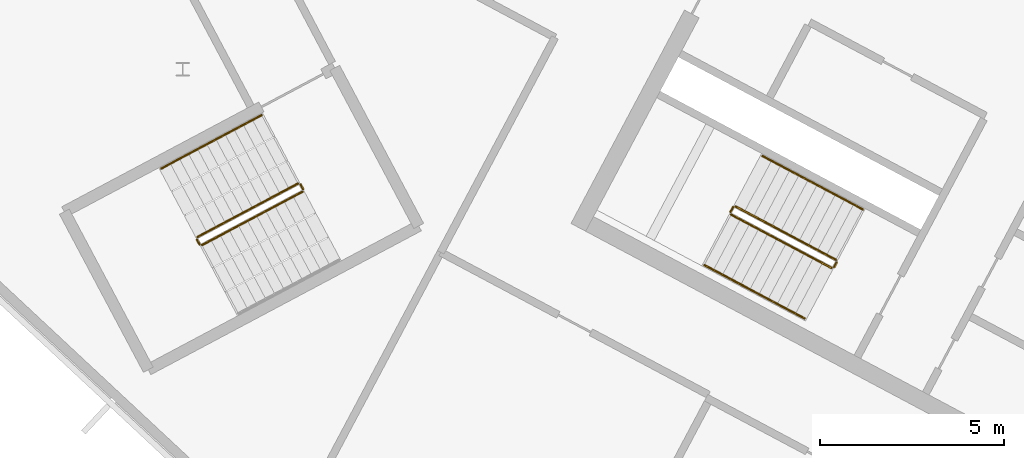
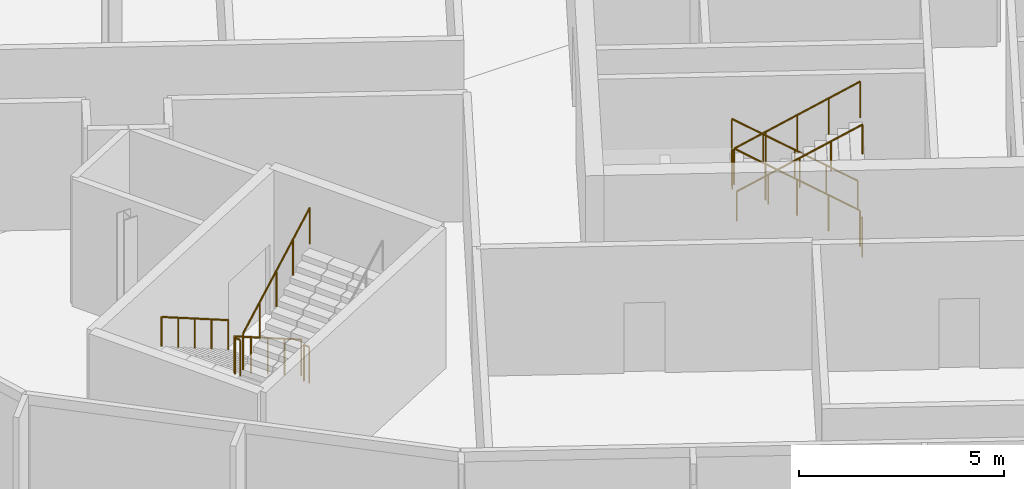
# One storey, part 11 of 16: 11 railings.
"""IFC4 building model written with IfcOpenShell, lengths in metres."""

import ifcopenshell
import ifcopenshell.guid

model = None  # the IFC model being written
_history = None  # IfcOwnerHistory: only IFC2X3 demands one
_inside = {}  # id of a spatial element -> (the spatial element, [elements in it])
_under = {}  # id of a project, library or spatial element -> (it, [spatial elements below it])
_declared = {}  # id of a project -> (the project, [libraries it declares])
_typed = {}  # id of a type object -> (the type object, [elements of that type])
_made_of = {}  # id of a material, layer set ... -> (it, [elements and type objects made of it])


def new_model(schema):
    """Start an empty IFC model of exactly this schema.

    Asked for "IFC4X3", IfcOpenShell would pick the latest addendum, in which some entities
    have other attributes; the version numbers below select the first issue.
    IFC2X3 requires an IfcOwnerHistory on every rooted entity: one is made here for all.
    """
    global model, _history
    if schema == "IFC4X3":
        model = ifcopenshell.file(schema_version=(4, 3, 0, 0))
    else:
        model = ifcopenshell.file(schema=schema)
    _inside.clear()
    _under.clear()
    _declared.clear()
    _typed.clear()
    _made_of.clear()
    _history = None
    if model.schema == "IFC2X3":
        org = make("IfcOrganization", Name="unknown")
        user = make(
            "IfcPersonAndOrganization",
            ThePerson=make("IfcPerson", FamilyName="unknown"),
            TheOrganization=org,
        )
        app = make(
            "IfcApplication",
            ApplicationDeveloper=org,
            Version="unknown",
            ApplicationFullName="unknown",
            ApplicationIdentifier="unknown",
        )
        _history = make(
            "IfcOwnerHistory",
            OwningUser=user,
            OwningApplication=app,
            ChangeAction="ADDED",
            CreationDate=0,
        )
    return model


def make(cls, **values):
    """One entity of the class cls with the attributes given. An attribute that is None is left unset."""
    return model.create_entity(
        cls, **{name: value for name, value in values.items() if value is not None}
    )


def rooted(cls, **values):
    """An entity with a GlobalId (a new one), such as an element, a storey or a relation."""
    return make(cls, GlobalId=ifcopenshell.guid.new(), OwnerHistory=_history, **values)


def si_unit(unit_type, name, prefix=None):
    """IfcSIUnit, for example si_unit("LENGTHUNIT", "METRE", prefix="MILLI")."""
    return make("IfcSIUnit", UnitType=unit_type, Prefix=prefix, Name=name)


def assignment(units):
    """IfcUnitAssignment: the units of a project."""
    return None if units is None else make("IfcUnitAssignment", Units=units)


def point(xyz):
    """IfcCartesianPoint."""
    return None if xyz is None else make("IfcCartesianPoint", Coordinates=xyz)


def direction(xyz):
    """IfcDirection."""
    return None if xyz is None else make("IfcDirection", DirectionRatios=xyz)


def frame(location, z_axis=None, x_axis=None):
    """IfcAxis2Placement3D, a coordinate frame: its origin and axes. An axis left out is left unset."""
    return make(
        "IfcAxis2Placement3D",
        Location=point(location),
        Axis=direction(z_axis),
        RefDirection=direction(x_axis),
    )


def origin():
    """The frame at (0, 0, 0) with its axes left unset."""
    return frame((0.0, 0.0, 0.0))


def place(relative_to, where):
    """IfcLocalPlacement: puts the frame where relative to a parent placement (None: the world)."""
    return make(
        "IfcLocalPlacement", PlacementRelTo=relative_to, RelativePlacement=where
    )


def context(
    kind, dimensions, precision=None, world=None, true_north=None, identifier=None
):
    """IfcGeometricRepresentationContext, for example the 3D "Model" context."""
    return make(
        "IfcGeometricRepresentationContext",
        ContextIdentifier=identifier,
        ContextType=kind,
        CoordinateSpaceDimension=dimensions,
        Precision=precision,
        WorldCoordinateSystem=world,
        TrueNorth=true_north,
    )


def subcontext(parent, identifier, kind, view, scale=None):
    """IfcGeometricRepresentationSubContext, for example "Body" below "Model"."""
    return make(
        "IfcGeometricRepresentationSubContext",
        ContextIdentifier=identifier,
        ContextType=kind,
        ParentContext=parent,
        TargetScale=scale,
        TargetView=view,
    )


def project(units=None, contexts=None):
    """IfcProject with its units and contexts."""
    return rooted(
        "IfcProject",
        Name="project",
        RepresentationContexts=contexts,
        UnitsInContext=assignment(units),
    )


def spatial(cls, under=None, at=None, **own):
    """A site, building, storey or space (cls), placed at a placement, below another one or the project."""
    s = rooted(cls, ObjectPlacement=at, **own)
    if under is not None:
        _under.setdefault(under.id(), (under, []))[1].append(s)
    return s


def polyline(points):
    """IfcPolyline through the points."""
    return make("IfcPolyline", Points=[point(p) for p in points])


def outline(outer, holes=None, kind="AREA"):
    """IfcArbitraryClosedProfileDef: a profile drawn as a closed curve; with holes, ...WithVoids."""
    if holes is None:
        return make("IfcArbitraryClosedProfileDef", ProfileType=kind, OuterCurve=outer)
    return make(
        "IfcArbitraryProfileDefWithVoids",
        ProfileType=kind,
        OuterCurve=outer,
        InnerCurves=holes,
    )


def extrude(swept, where, along, depth):
    """IfcExtrudedAreaSolid: the profile swept, set in the frame where, extruded along a direction by depth."""
    return make(
        "IfcExtrudedAreaSolid",
        SweptArea=swept,
        Position=where,
        ExtrudedDirection=direction(along),
        Depth=depth,
    )


def shape(context_of_items, identifier, shape_type, items):
    """IfcShapeRepresentation: the items that make up one representation, for example the "Body"."""
    return make(
        "IfcShapeRepresentation",
        ContextOfItems=context_of_items,
        RepresentationIdentifier=identifier,
        RepresentationType=shape_type,
        Items=items,
    )


def material(Name=None, Category=None):
    """IfcMaterial."""
    return make("IfcMaterial", Name=Name, Category=Category)


def made_of(thing, what):
    """Note that an element or type object is made of a material, layer set ...; save() writes the relation."""
    if what is not None:
        _made_of.setdefault(what.id(), (what, []))[1].append(thing)
    return thing


def type_object(cls, material=None, **own):
    """A type object (cls), such as IfcWallType, which elements share."""
    return made_of(rooted(cls, **own), material)


def element(
    cls,
    number,
    at=None,
    inside=None,
    cuts=None,
    type_object=None,
    material=None,
    context=None,
    identifier="Body",
    shape_type=None,
    held_by="IfcProductDefinitionShape",
    body=None,
    shapes=None,
    **own,
):
    """One element of the class cls, such as IfcWall. Its Tag is "e" and its number.

    at: its placement. inside: the storey or other place that contains it. cuts: it is an
    opening in that element (IfcRelVoidsElement). A single representation is given by context,
    identifier, shape_type and body (its items); several are given by shapes. held_by: the class
    of the entity that holds the representations. save() writes the other relations.
    """
    e = rooted(cls, Tag="e%d" % number, ObjectPlacement=at, **own)
    if body is not None:
        shapes = [shape(context, identifier, shape_type, body)]
    if shapes is not None:
        e.Representation = make(held_by, Representations=shapes)
    if inside is not None:
        _inside.setdefault(inside.id(), (inside, []))[1].append(e)
    if cuts is not None:
        rooted(
            "IfcRelVoidsElement", RelatingBuildingElement=cuts, RelatedOpeningElement=e
        )
    if type_object is not None:
        _typed.setdefault(type_object.id(), (type_object, []))[1].append(e)
    return made_of(e, material)


def aggregate(whole, parts):
    """IfcRelAggregates: a whole, such as a stair, and the parts it consists of."""
    return rooted("IfcRelAggregates", RelatingObject=whole, RelatedObjects=parts)


def save(model, path):
    """Write the relations noted so far, then the file.

    IfcRelAggregates (storeys below a building ...), IfcRelContainedInSpatialStructure (elements
    in a storey), IfcRelDefinesByType, IfcRelAssociatesMaterial and IfcRelDeclares: one each for
    every whole, place, type object, material and project.
    """
    for whole, parts in _under.values():
        aggregate(whole, parts)
    for where, things in _inside.values():
        rooted(
            "IfcRelContainedInSpatialStructure",
            RelatedElements=things,
            RelatingStructure=where,
        )
    for kind, things in _typed.values():
        rooted("IfcRelDefinesByType", RelatedObjects=things, RelatingType=kind)
    for what, things in _made_of.values():
        rooted("IfcRelAssociatesMaterial", RelatedObjects=things, RelatingMaterial=what)
    for by, libraries in _declared.values():
        rooted("IfcRelDeclares", RelatingContext=by, RelatedDefinitions=libraries)
    model.write(path)


model = new_model("IFC4")

# Units and contexts
model_context = context("Model", 3, precision=1e-05, world=origin(), true_north=direction((0.0, 1.0)))
body_context = subcontext(model_context, "Body", "Model", "MODEL_VIEW")
ifc_project = project(units=[si_unit("LENGTHUNIT", "METRE"), si_unit("AREAUNIT", "SQUARE_METRE"), si_unit("VOLUMEUNIT", "CUBIC_METRE"), si_unit("PLANEANGLEUNIT", "RADIAN"), si_unit("MASSUNIT", "GRAM", prefix="KILO")], contexts=[model_context])

# Site, building, storey
site_placement = place(None, origin())
site = spatial("IfcSite", under=ifc_project, at=site_placement, CompositionType="ELEMENT")
building_placement = place(site_placement, origin())
building = spatial("IfcBuilding", under=site, at=building_placement, Name="Cormorant Relay Tower", CompositionType="ELEMENT")
storey_placement = place(building_placement, frame((0.0, 0.0, 340.800048828125)))
storey = spatial("IfcBuildingStorey", under=building, at=storey_placement, Name="C4", CompositionType="ELEMENT", Elevation=340.800048828125)

# Railings
ifc_material_1 = material(Name="Steel ASTM A572 Grade 50 (Fy 345 MPa)", Category="steel")
railing_type_1 = type_object("IfcRailingType", Name="Stair guard 1100", PredefinedType="GUARDRAIL", material=ifc_material_1)
railing_1_placement = place(storey_placement, frame((-33.9921875, 10.08935546875, 0.175048828125)))
element("IfcRailing", 1, at=railing_1_placement, inside=storey, type_object=railing_type_1, Name="C4 A2 stair guard 1", PredefinedType="GUARDRAIL", context=body_context, shape_type="SweptSolid", body=[
    extrude(outline(polyline([(0.022216796875, 0.00927734375), (0.00927734375, 0.022216796875), (-0.00927734375, 0.022216796875), (-0.022216796875, 0.00927734375), (-0.022216796875, -0.00927734375), (-0.00927734375, -0.022216796875), (0.00927734375, -0.022216796875), (0.022216796875, -0.00927734375), (0.022216796875, 0.00927734375)])), frame((0.0, 0.0, 1.076171875), z_axis=(-0.748753913104, 0.39813891977, 0.529955637931), x_axis=(-0.469489399267, -0.882938108802, 0.0)), (0.0, 0.0, 1.0), 3.632080078125),
    extrude(outline(polyline([(0.019287109375, 0.008056640625), (0.008056640625, 0.019287109375), (-0.008056640625, 0.019287109375), (-0.019287109375, 0.008056640625), (-0.019287109375, -0.008056640625), (-0.008056640625, -0.019287109375), (0.008056640625, -0.019287109375), (0.019287109375, -0.008056640625), (0.019287109375, 0.008056640625)])), origin(), (0.0, 0.0, 1.0), 1.052001953125),
    extrude(outline(polyline([(0.019287109375, 0.008056640625), (0.008056640625, 0.019287109375), (-0.008056640625, 0.019287109375), (-0.019287109375, 0.008056640625), (-0.019287109375, -0.008056640625), (-0.008056640625, -0.019287109375), (0.008056640625, -0.019287109375), (0.019287109375, -0.008056640625), (0.019287109375, 0.008056640625)])), frame((-0.679931640625, 0.361572265625, 0.481201171875)), (0.0, 0.0, 1.0), 1.052001953125),
    extrude(outline(polyline([(0.019287109375, 0.008056640625), (0.008056640625, 0.019287109375), (-0.008056640625, 0.019287109375), (-0.019287109375, 0.008056640625), (-0.019287109375, -0.008056640625), (-0.008056640625, -0.019287109375), (0.008056640625, -0.019287109375), (0.019287109375, -0.008056640625), (0.019287109375, 0.008056640625)])), frame((-1.35986328125, 0.72314453125, 0.96240234375)), (0.0, 0.0, 1.0), 1.052001953125),
    extrude(outline(polyline([(0.019287109375, 0.008056640625), (0.008056640625, 0.019287109375), (-0.008056640625, 0.019287109375), (-0.019287109375, 0.008056640625), (-0.019287109375, -0.008056640625), (-0.008056640625, -0.019287109375), (0.008056640625, -0.019287109375), (0.019287109375, -0.008056640625), (0.019287109375, 0.008056640625)])), frame((-2.03955078125, 1.08447265625, 1.443603515625)), (0.0, 0.0, 1.0), 1.052001953125),
    extrude(outline(polyline([(0.019287109375, 0.008056640625), (0.008056640625, 0.019287109375), (-0.008056640625, 0.019287109375), (-0.019287109375, 0.008056640625), (-0.019287109375, -0.008056640625), (-0.008056640625, -0.019287109375), (0.008056640625, -0.019287109375), (0.019287109375, -0.008056640625), (0.019287109375, 0.008056640625)])), frame((-2.719482421875, 1.446044921875, 1.9248046875)), (0.0, 0.0, 1.0), 1.052001953125),
])
railing_2_placement = place(storey_placement, frame((-36.779296875, 11.5146484375, 2.099853515625)))
element("IfcRailing", 2, at=railing_2_placement, inside=storey, type_object=railing_type_1, Name="C4 A2 stair guard 2", PredefinedType="GUARDRAIL", context=body_context, shape_type="SweptSolid", body=[
    extrude(outline(polyline([(0.022216796875, 0.00927734375), (0.00927734375, 0.022216796875), (-0.00927734375, 0.022216796875), (-0.022216796875, 0.00927734375), (-0.022216796875, -0.00927734375), (-0.00927734375, -0.022216796875), (0.00927734375, -0.022216796875), (0.022216796875, -0.00927734375), (0.022216796875, 0.00927734375)])), frame((0.0, 0.0, 1.076171875), z_axis=(-0.469234640946, -0.883073525669, 0.0), x_axis=(0.883073525669, -0.469234640946, 0.0)), (0.0, 0.0, 1.0), 0.14990234375),
    extrude(outline(polyline([(0.019287109375, 0.008056640625), (0.008056640625, 0.019287109375), (-0.008056640625, 0.019287109375), (-0.019287109375, 0.008056640625), (-0.019287109375, -0.008056640625), (-0.008056640625, -0.019287109375), (0.008056640625, -0.019287109375), (0.019287109375, -0.008056640625), (0.019287109375, 0.008056640625)])), origin(), (0.0, 0.0, 1.0), 1.052001953125),
    extrude(outline(polyline([(0.019287109375, 0.008056640625), (0.008056640625, 0.019287109375), (-0.008056640625, 0.019287109375), (-0.019287109375, 0.008056640625), (-0.019287109375, -0.008056640625), (-0.008056640625, -0.019287109375), (0.008056640625, -0.019287109375), (0.019287109375, -0.008056640625), (0.019287109375, 0.008056640625)])), frame((-0.0703125, -0.13232421875, 0.0)), (0.0, 0.0, 1.0), 1.052001953125),
])
railing_3_placement = place(storey_placement, frame((-36.8291015625, 11.314697265625, 2.27490234375)))
element("IfcRailing", 3, at=railing_3_placement, inside=storey, type_object=railing_type_1, Name="C4 A2 stair guard 3", PredefinedType="GUARDRAIL", context=body_context, shape_type="SweptSolid", body=[
    extrude(outline(polyline([(0.022216796875, 0.00927734375), (0.00927734375, 0.022216796875), (-0.00927734375, 0.022216796875), (-0.022216796875, 0.00927734375), (-0.022216796875, -0.00927734375), (-0.00927734375, -0.022216796875), (0.00927734375, -0.022216796875), (0.022216796875, -0.00927734375), (0.022216796875, 0.00927734375)])), frame((0.0, 0.0, 1.076171875), z_axis=(0.748727239859, -0.398124736663, 0.530003975787), x_axis=(0.469489399267, 0.882938108802, 0.0)), (0.0, 0.0, 1.0), 3.632080078125),
    extrude(outline(polyline([(0.019287109375, 0.008056640625), (0.008056640625, 0.019287109375), (-0.008056640625, 0.019287109375), (-0.019287109375, 0.008056640625), (-0.019287109375, -0.008056640625), (-0.008056640625, -0.019287109375), (0.008056640625, -0.019287109375), (0.019287109375, -0.008056640625), (0.019287109375, 0.008056640625)])), origin(), (0.0, 0.0, 1.0), 1.052001953125),
    extrude(outline(polyline([(0.019287109375, 0.008056640625), (0.008056640625, 0.019287109375), (-0.008056640625, 0.019287109375), (-0.019287109375, 0.008056640625), (-0.019287109375, -0.008056640625), (-0.008056640625, -0.019287109375), (0.008056640625, -0.019287109375), (0.019287109375, -0.008056640625), (0.019287109375, 0.008056640625)])), frame((0.679931640625, -0.361572265625, 0.481201171875)), (0.0, 0.0, 1.0), 1.052001953125),
    extrude(outline(polyline([(0.019287109375, 0.008056640625), (0.008056640625, 0.019287109375), (-0.008056640625, 0.019287109375), (-0.019287109375, 0.008056640625), (-0.019287109375, -0.008056640625), (-0.008056640625, -0.019287109375), (0.008056640625, -0.019287109375), (0.019287109375, -0.008056640625), (0.019287109375, 0.008056640625)])), frame((1.35986328125, -0.72314453125, 0.96240234375)), (0.0, 0.0, 1.0), 1.052001953125),
    extrude(outline(polyline([(0.019287109375, 0.008056640625), (0.008056640625, 0.019287109375), (-0.008056640625, 0.019287109375), (-0.019287109375, 0.008056640625), (-0.019287109375, -0.008056640625), (-0.008056640625, -0.019287109375), (0.008056640625, -0.019287109375), (0.019287109375, -0.008056640625), (0.019287109375, 0.008056640625)])), frame((2.03955078125, -1.08447265625, 1.44384765625)), (0.0, 0.0, 1.0), 1.052001953125),
    extrude(outline(polyline([(0.019287109375, 0.008056640625), (0.008056640625, 0.019287109375), (-0.008056640625, 0.019287109375), (-0.019287109375, 0.008056640625), (-0.019287109375, -0.008056640625), (-0.008056640625, -0.019287109375), (0.008056640625, -0.019287109375), (0.019287109375, -0.008056640625), (0.019287109375, 0.008056640625)])), frame((2.719482421875, -1.446044921875, 1.925048828125)), (0.0, 0.0, 1.0), 1.052001953125),
])
railing_4_placement = place(storey_placement, frame((-33.971435546875, 10.021728515625, 0.0)))
element("IfcRailing", 4, at=railing_4_placement, inside=storey, type_object=railing_type_1, Name="C4 A2 stair guard 4", PredefinedType="GUARDRAIL", context=body_context, shape_type="SweptSolid", body=[
    extrude(outline(polyline([(0.022216796875, 0.00927734375), (0.00927734375, 0.022216796875), (-0.00927734375, 0.022216796875), (-0.022216796875, 0.00927734375), (-0.022216796875, -0.00927734375), (-0.00927734375, -0.022216796875), (0.00927734375, -0.022216796875), (0.022216796875, -0.00927734375), (0.022216796875, 0.00927734375)])), frame((0.0, 0.0, 1.076171875), z_axis=(-0.470503732759, -0.882398003998, 0.0), x_axis=(0.882398003998, -0.470503732759, 0.0)), (0.0, 0.0, 1.0), 0.14990234375),
    extrude(outline(polyline([(0.019287109375, 0.008056640625), (0.008056640625, 0.019287109375), (-0.008056640625, 0.019287109375), (-0.019287109375, 0.008056640625), (-0.019287109375, -0.008056640625), (-0.008056640625, -0.019287109375), (0.008056640625, -0.019287109375), (0.019287109375, -0.008056640625), (0.019287109375, 0.008056640625)])), origin(), (0.0, 0.0, 1.0), 1.052001953125),
    extrude(outline(polyline([(0.019287109375, 0.008056640625), (0.008056640625, 0.019287109375), (-0.008056640625, 0.019287109375), (-0.019287109375, 0.008056640625), (-0.019287109375, -0.008056640625), (-0.008056640625, -0.019287109375), (0.008056640625, -0.019287109375), (0.019287109375, -0.008056640625), (0.019287109375, 0.008056640625)])), frame((-0.070556640625, -0.13232421875, 0.0)), (0.0, 0.0, 1.0), 1.052001953125),
])
railing_5_placement = place(storey_placement, frame((-48.5693359375, 12.155517578125, 0.175048828125)))
element("IfcRailing", 5, at=railing_5_placement, inside=storey, type_object=railing_type_1, Name="C4 RP1 stair guard 1", PredefinedType="GUARDRAIL", context=body_context, shape_type="SweptSolid", body=[
    extrude(outline(polyline([(0.022216796875, 0.00927734375), (0.00927734375, 0.022216796875), (-0.00927734375, 0.022216796875), (-0.022216796875, 0.00927734375), (-0.022216796875, -0.00927734375), (-0.00927734375, -0.022216796875), (0.00927734375, -0.022216796875), (0.022216796875, -0.00927734375), (0.022216796875, 0.00927734375)])), frame((0.0, 0.0, 1.076171875), z_axis=(-0.748753913104, -0.39813891977, 0.529955637931), x_axis=(0.469489399267, -0.882938108802, 0.0)), (0.0, 0.0, 1.0), 3.632080078125),
    extrude(outline(polyline([(0.019287109375, 0.008056640625), (0.008056640625, 0.019287109375), (-0.008056640625, 0.019287109375), (-0.019287109375, 0.008056640625), (-0.019287109375, -0.008056640625), (-0.008056640625, -0.019287109375), (0.008056640625, -0.019287109375), (0.019287109375, -0.008056640625), (0.019287109375, 0.008056640625)])), origin(), (0.0, 0.0, 1.0), 1.052001953125),
    extrude(outline(polyline([(0.019287109375, 0.008056640625), (0.008056640625, 0.019287109375), (-0.008056640625, 0.019287109375), (-0.019287109375, 0.008056640625), (-0.019287109375, -0.008056640625), (-0.008056640625, -0.019287109375), (0.008056640625, -0.019287109375), (0.019287109375, -0.008056640625), (0.019287109375, 0.008056640625)])), frame((-0.679931640625, -0.361572265625, 0.481201171875)), (0.0, 0.0, 1.0), 1.052001953125),
    extrude(outline(polyline([(0.019287109375, 0.008056640625), (0.008056640625, 0.019287109375), (-0.008056640625, 0.019287109375), (-0.019287109375, 0.008056640625), (-0.019287109375, -0.008056640625), (-0.008056640625, -0.019287109375), (0.008056640625, -0.019287109375), (0.019287109375, -0.008056640625), (0.019287109375, 0.008056640625)])), frame((-1.35986328125, -0.72314453125, 0.96240234375)), (0.0, 0.0, 1.0), 1.052001953125),
    extrude(outline(polyline([(0.019287109375, 0.008056640625), (0.008056640625, 0.019287109375), (-0.008056640625, 0.019287109375), (-0.019287109375, 0.008056640625), (-0.019287109375, -0.008056640625), (-0.008056640625, -0.019287109375), (0.008056640625, -0.019287109375), (0.019287109375, -0.008056640625), (0.019287109375, 0.008056640625)])), frame((-2.03955078125, -1.08447265625, 1.443603515625)), (0.0, 0.0, 1.0), 1.052001953125),
    extrude(outline(polyline([(0.019287109375, 0.008056640625), (0.008056640625, 0.019287109375), (-0.008056640625, 0.019287109375), (-0.019287109375, 0.008056640625), (-0.019287109375, -0.008056640625), (-0.008056640625, -0.019287109375), (0.008056640625, -0.019287109375), (0.019287109375, -0.008056640625), (0.019287109375, 0.008056640625)])), frame((-2.719482421875, -1.446044921875, 1.9248046875)), (0.0, 0.0, 1.0), 1.052001953125),
])
railing_6_placement = place(storey_placement, frame((-51.3095703125, 10.641845703125, 2.099853515625)))
element("IfcRailing", 6, at=railing_6_placement, inside=storey, type_object=railing_type_1, Name="C4 RP1 stair guard 2", PredefinedType="GUARDRAIL", context=body_context, shape_type="SweptSolid", body=[
    extrude(outline(polyline([(0.022216796875, 0.00927734375), (0.00927734375, 0.022216796875), (-0.00927734375, 0.022216796875), (-0.022216796875, 0.00927734375), (-0.022216796875, -0.00927734375), (-0.00927734375, -0.022216796875), (0.00927734375, -0.022216796875), (0.022216796875, -0.00927734375), (0.022216796875, 0.00927734375)])), frame((0.0, 0.0, 1.076171875), z_axis=(0.469828648786, -0.882757634224, 0.0), x_axis=(0.882757634224, 0.469828648786, 0.0)), (0.0, 0.0, 1.0), 0.150146484375),
    extrude(outline(polyline([(0.019287109375, 0.008056640625), (0.008056640625, 0.019287109375), (-0.008056640625, 0.019287109375), (-0.019287109375, 0.008056640625), (-0.019287109375, -0.008056640625), (-0.008056640625, -0.019287109375), (0.008056640625, -0.019287109375), (0.019287109375, -0.008056640625), (0.019287109375, 0.008056640625)])), origin(), (0.0, 0.0, 1.0), 1.052001953125),
    extrude(outline(polyline([(0.019287109375, 0.008056640625), (0.008056640625, 0.019287109375), (-0.008056640625, 0.019287109375), (-0.019287109375, 0.008056640625), (-0.019287109375, -0.008056640625), (-0.008056640625, -0.019287109375), (0.008056640625, -0.019287109375), (0.019287109375, -0.008056640625), (0.019287109375, 0.008056640625)])), frame((0.070556640625, -0.132568359375, 0.0)), (0.0, 0.0, 1.0), 1.052001953125),
])
railing_7_placement = place(storey_placement, frame((-51.17138671875, 10.48876953125, 2.27490234375)))
element("IfcRailing", 7, at=railing_7_placement, inside=storey, type_object=railing_type_1, Name="C4 RP1 stair guard 3", PredefinedType="GUARDRAIL", context=body_context, shape_type="SweptSolid", body=[
    extrude(outline(polyline([(0.022216796875, 0.00927734375), (0.00927734375, 0.022216796875), (-0.00927734375, 0.022216796875), (-0.022216796875, 0.00927734375), (-0.022216796875, -0.00927734375), (-0.00927734375, -0.022216796875), (0.00927734375, -0.022216796875), (0.022216796875, -0.00927734375), (0.022216796875, 0.00927734375)])), frame((0.0, 0.0, 1.076171875), z_axis=(0.748747275397, 0.39806817173, 0.530018158408), x_axis=(-0.469427602063, 0.882970965786, 0.0)), (0.0, 0.0, 1.0), 3.632080078125),
    extrude(outline(polyline([(0.019287109375, 0.008056640625), (0.008056640625, 0.019287109375), (-0.008056640625, 0.019287109375), (-0.019287109375, 0.008056640625), (-0.019287109375, -0.008056640625), (-0.008056640625, -0.019287109375), (0.008056640625, -0.019287109375), (0.019287109375, -0.008056640625), (0.019287109375, 0.008056640625)])), origin(), (0.0, 0.0, 1.0), 1.052001953125),
    extrude(outline(polyline([(0.019287109375, 0.008056640625), (0.008056640625, 0.019287109375), (-0.008056640625, 0.019287109375), (-0.019287109375, 0.008056640625), (-0.019287109375, -0.008056640625), (-0.008056640625, -0.019287109375), (0.008056640625, -0.019287109375), (0.019287109375, -0.008056640625), (0.019287109375, 0.008056640625)])), frame((0.679931640625, 0.361328125, 0.481201171875)), (0.0, 0.0, 1.0), 1.052001953125),
    extrude(outline(polyline([(0.019287109375, 0.008056640625), (0.008056640625, 0.019287109375), (-0.008056640625, 0.019287109375), (-0.019287109375, 0.008056640625), (-0.019287109375, -0.008056640625), (-0.008056640625, -0.019287109375), (0.008056640625, -0.019287109375), (0.019287109375, -0.008056640625), (0.019287109375, 0.008056640625)])), frame((1.35986328125, 0.722900390625, 0.96240234375)), (0.0, 0.0, 1.0), 1.052001953125),
    extrude(outline(polyline([(0.019287109375, 0.008056640625), (0.008056640625, 0.019287109375), (-0.008056640625, 0.019287109375), (-0.019287109375, 0.008056640625), (-0.019287109375, -0.008056640625), (-0.008056640625, -0.019287109375), (0.008056640625, -0.019287109375), (0.019287109375, -0.008056640625), (0.019287109375, 0.008056640625)])), frame((2.03955078125, 1.08447265625, 1.44384765625)), (0.0, 0.0, 1.0), 1.052001953125),
    extrude(outline(polyline([(0.019287109375, 0.008056640625), (0.008056640625, 0.019287109375), (-0.008056640625, 0.019287109375), (-0.019287109375, 0.008056640625), (-0.019287109375, -0.008056640625), (-0.008056640625, -0.019287109375), (0.008056640625, -0.019287109375), (0.019287109375, -0.008056640625), (0.019287109375, 0.008056640625)])), frame((2.719482421875, 1.44580078125, 1.925048828125)), (0.0, 0.0, 1.0), 1.052001953125),
])
railing_8_placement = place(storey_placement, frame((-48.501708984375, 12.134765625, 0.0)))
element("IfcRailing", 8, at=railing_8_placement, inside=storey, type_object=railing_type_1, Name="C4 RP1 stair guard 4", PredefinedType="GUARDRAIL", context=body_context, shape_type="SweptSolid", body=[
    extrude(outline(polyline([(0.022216796875, 0.00927734375), (0.00927734375, 0.022216796875), (-0.00927734375, 0.022216796875), (-0.022216796875, 0.00927734375), (-0.022216796875, -0.00927734375), (-0.00927734375, -0.022216796875), (0.00927734375, -0.022216796875), (0.022216796875, -0.00927734375), (0.022216796875, 0.00927734375)])), frame((0.0, 0.0, 1.076171875), z_axis=(0.46856034887, -0.8834314911, 0.0), x_axis=(0.8834314911, 0.46856034887, 0.0)), (0.0, 0.0, 1.0), 0.150146484375),
    extrude(outline(polyline([(0.019287109375, 0.008056640625), (0.008056640625, 0.019287109375), (-0.008056640625, 0.019287109375), (-0.019287109375, 0.008056640625), (-0.019287109375, -0.008056640625), (-0.008056640625, -0.019287109375), (0.008056640625, -0.019287109375), (0.019287109375, -0.008056640625), (0.019287109375, 0.008056640625)])), origin(), (0.0, 0.0, 1.0), 1.052001953125),
    extrude(outline(polyline([(0.019287109375, 0.008056640625), (0.008056640625, 0.019287109375), (-0.008056640625, 0.019287109375), (-0.019287109375, 0.008056640625), (-0.019287109375, -0.008056640625), (-0.008056640625, -0.019287109375), (0.008056640625, -0.019287109375), (0.019287109375, -0.008056640625), (0.019287109375, 0.008056640625)])), frame((0.0703125, -0.132568359375, 0.0)), (0.0, 0.0, 1.0), 1.052001953125),
])
ifc_material_2 = material(Name="Steel ASTM A572 Grade 50 (Fy 345 MPa)", Category="steel")
railing_type_2 = type_object("IfcRailingType", Name="Stair handrail 900", PredefinedType="HANDRAIL", material=ifc_material_2)
railing_9_placement = place(storey_placement, frame((-33.264404296875, 11.4580078125, 0.175048828125)))
element("IfcRailing", 9, at=railing_9_placement, inside=storey, type_object=railing_type_2, Name="C4 A2 stair handrail 1", PredefinedType="HANDRAIL", context=body_context, shape_type="SweptSolid", body=[
    extrude(outline(polyline([(0.022216796875, 0.00927734375), (0.00927734375, 0.022216796875), (-0.00927734375, 0.022216796875), (-0.022216796875, 0.00927734375), (-0.022216796875, -0.00927734375), (-0.00927734375, -0.022216796875), (0.00927734375, -0.022216796875), (0.022216796875, -0.00927734375), (0.022216796875, 0.00927734375)])), frame((0.0, 0.0, 0.8759765625), z_axis=(-0.748773950783, 0.398082353581, 0.529969820269), x_axis=(-0.469427602063, -0.882970965786, 0.0)), (0.0, 0.0, 1.0), 3.6318359375),
    extrude(outline(polyline([(0.019287109375, 0.008056640625), (0.008056640625, 0.019287109375), (-0.008056640625, 0.019287109375), (-0.019287109375, 0.008056640625), (-0.019287109375, -0.008056640625), (-0.008056640625, -0.019287109375), (0.008056640625, -0.019287109375), (0.019287109375, -0.008056640625), (0.019287109375, 0.008056640625)])), origin(), (0.0, 0.0, 1.0), 0.851806640625),
    extrude(outline(polyline([(0.019287109375, 0.008056640625), (0.008056640625, 0.019287109375), (-0.008056640625, 0.019287109375), (-0.019287109375, 0.008056640625), (-0.019287109375, -0.008056640625), (-0.008056640625, -0.019287109375), (0.008056640625, -0.019287109375), (0.019287109375, -0.008056640625), (0.019287109375, 0.008056640625)])), frame((-0.679931640625, 0.361328125, 0.481201171875)), (0.0, 0.0, 1.0), 0.851806640625),
    extrude(outline(polyline([(0.019287109375, 0.008056640625), (0.008056640625, 0.019287109375), (-0.008056640625, 0.019287109375), (-0.019287109375, 0.008056640625), (-0.019287109375, -0.008056640625), (-0.008056640625, -0.019287109375), (0.008056640625, -0.019287109375), (0.019287109375, -0.008056640625), (0.019287109375, 0.008056640625)])), frame((-1.35986328125, 0.722900390625, 0.96240234375)), (0.0, 0.0, 1.0), 0.851806640625),
    extrude(outline(polyline([(0.019287109375, 0.008056640625), (0.008056640625, 0.019287109375), (-0.008056640625, 0.019287109375), (-0.019287109375, 0.008056640625), (-0.019287109375, -0.008056640625), (-0.008056640625, -0.019287109375), (0.008056640625, -0.019287109375), (0.019287109375, -0.008056640625), (0.019287109375, 0.008056640625)])), frame((-2.03955078125, 1.08447265625, 1.443603515625)), (0.0, 0.0, 1.0), 0.851806640625),
    extrude(outline(polyline([(0.019287109375, 0.008056640625), (0.008056640625, 0.019287109375), (-0.008056640625, 0.019287109375), (-0.019287109375, 0.008056640625), (-0.019287109375, -0.008056640625), (-0.008056640625, -0.019287109375), (0.008056640625, -0.019287109375), (0.019287109375, -0.008056640625), (0.019287109375, 0.008056640625)])), frame((-2.719482421875, 1.44580078125, 1.9248046875)), (0.0, 0.0, 1.0), 0.851806640625),
])
railing_10_placement = place(storey_placement, frame((-37.556640625, 9.946044921875, 2.27490234375)))
element("IfcRailing", 10, at=railing_10_placement, inside=storey, type_object=railing_type_2, Name="C4 A2 stair handrail 2", PredefinedType="HANDRAIL", context=body_context, shape_type="SweptSolid", body=[
    extrude(outline(polyline([(0.022216796875, 0.00927734375), (0.00927734375, 0.022216796875), (-0.00927734375, 0.022216796875), (-0.022216796875, 0.00927734375), (-0.022216796875, -0.00927734375), (-0.00927734375, -0.022216796875), (0.00927734375, -0.022216796875), (0.022216796875, -0.00927734375), (0.022216796875, 0.00927734375)])), frame((0.0, 0.0, 0.8759765625), z_axis=(0.748727239859, -0.398124736663, 0.530003975787), x_axis=(0.469489399267, 0.882938108802, 0.0)), (0.0, 0.0, 1.0), 3.632080078125),
    extrude(outline(polyline([(0.019287109375, 0.008056640625), (0.008056640625, 0.019287109375), (-0.008056640625, 0.019287109375), (-0.019287109375, 0.008056640625), (-0.019287109375, -0.008056640625), (-0.008056640625, -0.019287109375), (0.008056640625, -0.019287109375), (0.019287109375, -0.008056640625), (0.019287109375, 0.008056640625)])), origin(), (0.0, 0.0, 1.0), 0.851806640625),
    extrude(outline(polyline([(0.019287109375, 0.008056640625), (0.008056640625, 0.019287109375), (-0.008056640625, 0.019287109375), (-0.019287109375, 0.008056640625), (-0.019287109375, -0.008056640625), (-0.008056640625, -0.019287109375), (0.008056640625, -0.019287109375), (0.019287109375, -0.008056640625), (0.019287109375, 0.008056640625)])), frame((0.679931640625, -0.361572265625, 0.481201171875)), (0.0, 0.0, 1.0), 0.851806640625),
    extrude(outline(polyline([(0.019287109375, 0.008056640625), (0.008056640625, 0.019287109375), (-0.008056640625, 0.019287109375), (-0.019287109375, 0.008056640625), (-0.019287109375, -0.008056640625), (-0.008056640625, -0.019287109375), (0.008056640625, -0.019287109375), (0.019287109375, -0.008056640625), (0.019287109375, 0.008056640625)])), frame((1.35986328125, -0.72314453125, 0.96240234375)), (0.0, 0.0, 1.0), 0.851806640625),
    extrude(outline(polyline([(0.019287109375, 0.008056640625), (0.008056640625, 0.019287109375), (-0.008056640625, 0.019287109375), (-0.019287109375, 0.008056640625), (-0.019287109375, -0.008056640625), (-0.008056640625, -0.019287109375), (0.008056640625, -0.019287109375), (0.019287109375, -0.008056640625), (0.019287109375, 0.008056640625)])), frame((2.03955078125, -1.08447265625, 1.44384765625)), (0.0, 0.0, 1.0), 0.851806640625),
    extrude(outline(polyline([(0.019287109375, 0.008056640625), (0.008056640625, 0.019287109375), (-0.008056640625, 0.019287109375), (-0.019287109375, 0.008056640625), (-0.019287109375, -0.008056640625), (-0.008056640625, -0.019287109375), (0.008056640625, -0.019287109375), (0.019287109375, -0.008056640625), (0.019287109375, 0.008056640625)])), frame((2.719482421875, -1.446044921875, 1.925048828125)), (0.0, 0.0, 1.0), 0.851806640625),
])
railing_11_placement = place(storey_placement, frame((-49.55517578125, 14.009521484375, 0.175048828125)))
element("IfcRailing", 11, at=railing_11_placement, inside=storey, type_object=railing_type_2, Name="C4 RP1 stair handrail 1", PredefinedType="HANDRAIL", context=body_context, shape_type="SweptSolid", body=[
    extrude(outline(polyline([(0.022216796875, 0.00927734375), (0.00927734375, 0.022216796875), (-0.00927734375, 0.022216796875), (-0.022216796875, 0.00927734375), (-0.022216796875, -0.00927734375), (-0.00927734375, -0.022216796875), (0.00927734375, -0.022216796875), (0.022216796875, -0.00927734375), (0.022216796875, 0.00927734375)])), frame((0.0, 0.0, 0.8759765625), z_axis=(-0.748773950783, -0.398082353581, 0.529969820269), x_axis=(0.469427602063, -0.882970965786, 0.0)), (0.0, 0.0, 1.0), 3.6318359375),
    extrude(outline(polyline([(0.019287109375, 0.008056640625), (0.008056640625, 0.019287109375), (-0.008056640625, 0.019287109375), (-0.019287109375, 0.008056640625), (-0.019287109375, -0.008056640625), (-0.008056640625, -0.019287109375), (0.008056640625, -0.019287109375), (0.019287109375, -0.008056640625), (0.019287109375, 0.008056640625)])), origin(), (0.0, 0.0, 1.0), 0.851806640625),
    extrude(outline(polyline([(0.019287109375, 0.008056640625), (0.008056640625, 0.019287109375), (-0.008056640625, 0.019287109375), (-0.019287109375, 0.008056640625), (-0.019287109375, -0.008056640625), (-0.008056640625, -0.019287109375), (0.008056640625, -0.019287109375), (0.019287109375, -0.008056640625), (0.019287109375, 0.008056640625)])), frame((-0.679931640625, -0.361328125, 0.481201171875)), (0.0, 0.0, 1.0), 0.851806640625),
    extrude(outline(polyline([(0.019287109375, 0.008056640625), (0.008056640625, 0.019287109375), (-0.008056640625, 0.019287109375), (-0.019287109375, 0.008056640625), (-0.019287109375, -0.008056640625), (-0.008056640625, -0.019287109375), (0.008056640625, -0.019287109375), (0.019287109375, -0.008056640625), (0.019287109375, 0.008056640625)])), frame((-1.35986328125, -0.722900390625, 0.96240234375)), (0.0, 0.0, 1.0), 0.851806640625),
    extrude(outline(polyline([(0.019287109375, 0.008056640625), (0.008056640625, 0.019287109375), (-0.008056640625, 0.019287109375), (-0.019287109375, 0.008056640625), (-0.019287109375, -0.008056640625), (-0.008056640625, -0.019287109375), (0.008056640625, -0.019287109375), (0.019287109375, -0.008056640625), (0.019287109375, 0.008056640625)])), frame((-2.03955078125, -1.08447265625, 1.443603515625)), (0.0, 0.0, 1.0), 0.851806640625),
    extrude(outline(polyline([(0.019287109375, 0.008056640625), (0.008056640625, 0.019287109375), (-0.008056640625, 0.019287109375), (-0.019287109375, 0.008056640625), (-0.019287109375, -0.008056640625), (-0.008056640625, -0.019287109375), (0.008056640625, -0.019287109375), (0.019287109375, -0.008056640625), (0.019287109375, 0.008056640625)])), frame((-2.719482421875, -1.44580078125, 1.9248046875)), (0.0, 0.0, 1.0), 0.851806640625),
])

save(model, "model.ifc")
